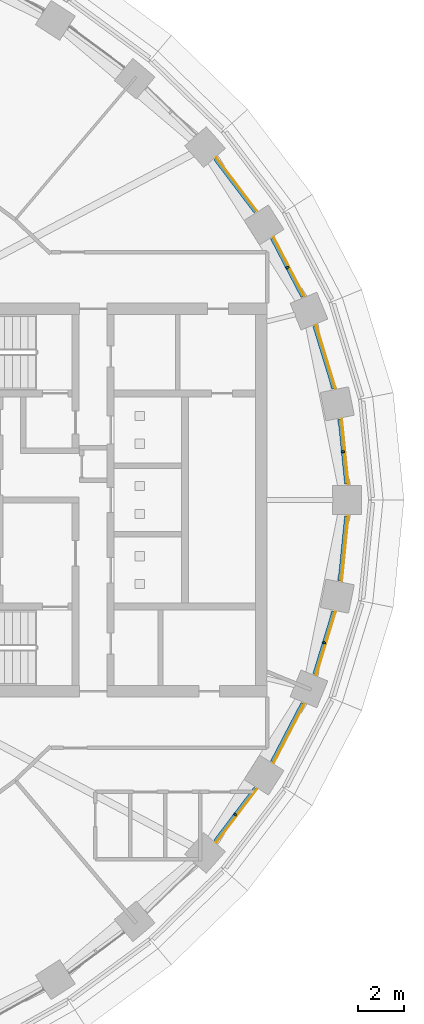
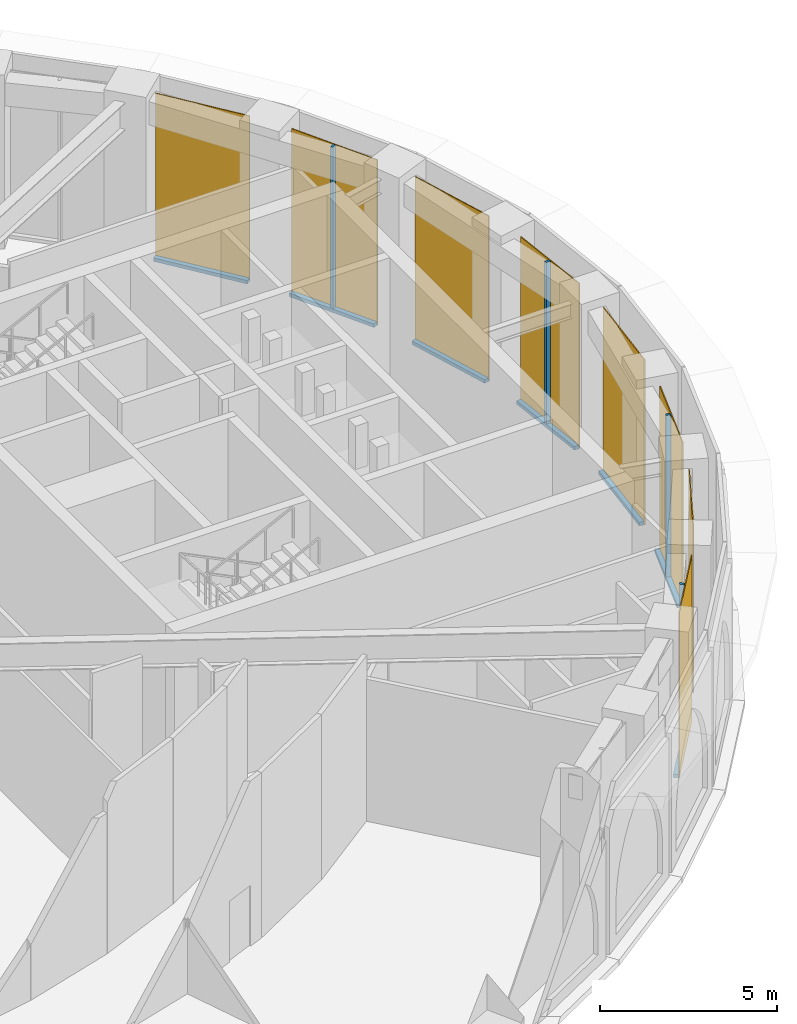
# One storey, part 16 of 23: 12 members, 8 curtain walls.
"""IFC4 building model written with IfcOpenShell, lengths in metres."""

from ifc_helpers import new_model, si_unit, direction, frame, origin, origin_2d, place, context, subcontext, project, spatial, polyline, rectangle, outline, extrude, material, layer, layer_set, material_profile, profile_set, type_object, element, aggregate, save


model = new_model("IFC4")

# Units and contexts
model_context = context("Model", 3, precision=1e-05, world=origin(), true_north=direction((0.0, 1.0)))
body_context = subcontext(model_context, "Body", "Model", "MODEL_VIEW")
ifc_project = project(units=[si_unit("LENGTHUNIT", "METRE"), si_unit("AREAUNIT", "SQUARE_METRE"), si_unit("VOLUMEUNIT", "CUBIC_METRE"), si_unit("PLANEANGLEUNIT", "RADIAN"), si_unit("MASSUNIT", "GRAM", prefix="KILO")], contexts=[model_context])

# Member
ifc_material_1 = material(Name="Aluminium 6063-T6 black anodised", Category="aluminium")
ifc_material_profile = material_profile(ifc_material_1, rectangle(XDim=0.14990234375, YDim=0.080078125, at=origin_2d()), Name="150x80")
ifc_profile_set = profile_set([ifc_material_profile], Name="Aluminium 6063-T6 black anodised")
member_type_1 = type_object("IfcMemberType", Name="ENV-MULLION-B-150", PredefinedType="MULLION", material=ifc_profile_set)
site_placement = place(None, origin())
building_placement = place(site_placement, origin())
storey_placement = place(building_placement, frame((0.0, 0.0, 140.0)))
member_1_placement = place(storey_placement, frame((32.37353515625, 10.029541015625, 0.1201171875), z_axis=(0.0, 0.0, 1.0), x_axis=(-0.88673501754, -0.462278064231, 0.0)))
member_1 = element("IfcMember", 1, at=member_1_placement, type_object=member_type_1, Name="Mullion B chord 03", PredefinedType="MULLION", context=body_context, shape_type="SweptSolid", body=[
    extrude(rectangle(XDim=0.14990234375, YDim=0.080078125, at=origin_2d()), origin(), (0.0, 0.0, 1.0), 5.579833984375),
])

member_2_placement = place(storey_placement, frame((30.12646484375, -13.576171875, 0.1201171875), z_axis=(0.0, 0.0, 1.0), x_axis=(-0.796969018776, 0.604020184358, 0.0)))
member_2 = element("IfcMember", 2, at=member_2_placement, type_object=member_type_1, Name="Mullion B chord 43", PredefinedType="MULLION", context=body_context, shape_type="SweptSolid", body=[
    extrude(rectangle(XDim=0.14990234375, YDim=0.080078125, at=origin_2d()), origin(), (0.0, 0.0, 1.0), 5.579833984375),
])

member_3_placement = place(storey_placement, frame((33.957275390625, -6.162109375, 0.1201171875), z_axis=(0.0, 0.0, 1.0), x_axis=(-0.95636637957, 0.292170066961, 0.0)))
member_3 = element("IfcMember", 3, at=member_3_placement, type_object=member_type_1, Name="Mullion B chord 45", PredefinedType="MULLION", context=body_context, shape_type="SweptSolid", body=[
    extrude(rectangle(XDim=0.14990234375, YDim=0.080078125, at=origin_2d()), origin(), (0.0, 0.0, 1.0), 5.579833984375),
])

member_4_placement = place(storey_placement, frame((34.778564453125, 2.07958984375, 0.1201171875), z_axis=(0.0, 0.0, 1.0), x_axis=(-0.994969504864, -0.100178263068, 0.0)))
member_4 = element("IfcMember", 4, at=member_4_placement, type_object=member_type_1, Name="Mullion B chord 01", PredefinedType="MULLION", context=body_context, shape_type="SweptSolid", body=[
    extrude(rectangle(XDim=0.14990234375, YDim=0.080078125, at=origin_2d()), origin(), (0.0, 0.0, 1.0), 5.579833984375),
])

ifc_material_2 = material(Name="Aluminium 6063-T6 black anodised", Category="aluminium")
member_type_2 = type_object("IfcMemberType", Name="ENV-TRANSOM-B", PredefinedType="USERDEFINED", material=ifc_material_2)
member_5_placement = place(storey_placement, origin())
member_5 = element("IfcMember", 5, at=member_5_placement, type_object=member_type_2, Name="Transom B radial 02-03", ObjectType="TRANSOM", PredefinedType="USERDEFINED", context=body_context, shape_type="SweptSolid", body=[
    extrude(outline(polyline([(34.443359375, 4.827392578125), (33.61328125, 7.544189453125), (33.47412109375, 7.487060546875), (34.295654296875, 4.797607421875), (34.443359375, 4.827392578125)])), origin(), (0.0, 0.0, 1.0), 0.1201171875),
])

member_6_placement = place(storey_placement, origin())
member_6 = element("IfcMember", 6, at=member_6_placement, type_object=member_type_2, Name="Transom B radial 03-04", ObjectType="TRANSOM", PredefinedType="USERDEFINED", context=body_context, shape_type="SweptSolid", body=[
    extrude(outline(polyline([(33.1005859375, 8.796875), (31.777099609375, 11.335693359375), (31.64990234375, 11.255126953125), (32.961181640625, 8.739990234375), (33.1005859375, 8.796875)])), origin(), (0.0, 0.0, 1.0), 0.1201171875),
])

member_7_placement = place(storey_placement, origin())
member_7 = element("IfcMember", 7, at=member_7_placement, type_object=member_type_2, Name="Transom B radial 04-05", ObjectType="TRANSOM", PredefinedType="USERDEFINED", context=body_context, shape_type="SweptSolid", body=[
    extrude(outline(polyline([(31.057373046875, 12.472412109375), (29.3125, 14.774658203125), (29.19970703125, 14.675048828125), (30.93017578125, 12.391845703125), (31.057373046875, 12.472412109375)])), origin(), (0.0, 0.0, 1.0), 0.1201171875),
])

member_8_placement = place(storey_placement, origin())
member_8 = element("IfcMember", 8, at=member_8_placement, type_object=member_type_2, Name="Transom B radial 43-44", ObjectType="TRANSOM", PredefinedType="USERDEFINED", context=body_context, shape_type="SweptSolid", body=[
    extrude(outline(polyline([(29.3125, -14.7744140625), (31.05712890625, -12.47265625), (30.929931640625, -12.39208984375), (29.19970703125, -14.6748046875), (29.3125, -14.7744140625)])), origin(), (0.0, 0.0, 1.0), 0.1201171875),
])

member_9_placement = place(storey_placement, origin())
member_9 = element("IfcMember", 9, at=member_9_placement, type_object=member_type_2, Name="Transom B radial 44-45", ObjectType="TRANSOM", PredefinedType="USERDEFINED", context=body_context, shape_type="SweptSolid", body=[
    extrude(outline(polyline([(31.777099609375, -11.33544921875), (33.1005859375, -8.797119140625), (32.961181640625, -8.739990234375), (31.650146484375, -11.2548828125), (31.777099609375, -11.33544921875)])), origin(), (0.0, 0.0, 1.0), 0.1201171875),
])

member_10_placement = place(storey_placement, origin())
member_10 = element("IfcMember", 10, at=member_10_placement, type_object=member_type_2, Name="Transom B radial 45-46", ObjectType="TRANSOM", PredefinedType="USERDEFINED", context=body_context, shape_type="SweptSolid", body=[
    extrude(outline(polyline([(33.613525390625, -7.5439453125), (34.443359375, -4.827392578125), (34.295654296875, -4.7978515625), (33.47412109375, -7.48681640625), (33.613525390625, -7.5439453125)])), origin(), (0.0, 0.0, 1.0), 0.1201171875),
])

member_11_placement = place(storey_placement, origin())
member_11 = element("IfcMember", 11, at=member_11_placement, type_object=member_type_2, Name="Transom B radial 46-01", ObjectType="TRANSOM", PredefinedType="USERDEFINED", context=body_context, shape_type="SweptSolid", body=[
    extrude(outline(polyline([(34.71142578125, -3.494140625), (34.99462890625, -0.680908203125), (34.843994140625, -0.680908203125), (34.563720703125, -3.464599609375), (34.71142578125, -3.494140625)])), origin(), (0.0, 0.0, 1.0), 0.1201171875),
])

member_12_placement = place(storey_placement, origin())
member_12 = element("IfcMember", 12, at=member_12_placement, type_object=member_type_2, Name="Transom B radial 01-02", ObjectType="TRANSOM", PredefinedType="USERDEFINED", context=body_context, shape_type="SweptSolid", body=[
    extrude(outline(polyline([(34.99462890625, 0.680908203125), (34.71142578125, 3.494384765625), (34.563720703125, 3.464599609375), (34.843994140625, 0.680908203125), (34.99462890625, 0.680908203125)])), origin(), (0.0, 0.0, 1.0), 0.1201171875),
])

# Site, building, storey
site = spatial("IfcSite", under=ifc_project, at=site_placement, CompositionType="ELEMENT")
building = spatial("IfcBuilding", under=site, at=building_placement, Name="Noorbagh Ring Tower", CompositionType="ELEMENT")
storey = spatial("IfcBuildingStorey", under=building, at=storey_placement, Name="L32", CompositionType="ELEMENT", Elevation=140.0)

# Curtain wall
ifc_material_3 = material(Name="Glass dark tinted laminated", Category="glass")
ifc_layer = layer(ifc_material_3, 0.031982421875)
ifc_layer_set = layer_set([ifc_layer], Name="Glass dark tinted laminated")
curtain_wall_type = type_object("IfcCurtainWallType", Name="ENV-CW-B", PredefinedType="NOTDEFINED", material=ifc_layer_set)
curtain_wall_1_placement = place(storey_placement, origin())
curtain_wall_1 = element("IfcCurtainWall", 13, at=curtain_wall_1_placement, inside=storey, type_object=curtain_wall_type, Name="Curtain wall B R02", PredefinedType="NOTDEFINED", context=body_context, shape_type="SweptSolid", body=[
    extrude(outline(polyline([(34.47509765625, 4.833740234375), (33.643310546875, 7.556396484375), (33.61328125, 7.544189453125), (34.443359375, 4.827392578125), (34.47509765625, 4.833740234375)])), origin(), (0.0, 0.0, 1.0), 5.699951171875),
])

aggregate(curtain_wall_1, [member_5])

curtain_wall_2_placement = place(storey_placement, origin())
curtain_wall_2 = element("IfcCurtainWall", 14, at=curtain_wall_2_placement, inside=storey, type_object=curtain_wall_type, Name="Curtain wall B R03", PredefinedType="NOTDEFINED", context=body_context, shape_type="SweptSolid", body=[
    extrude(outline(polyline([(33.13037109375, 8.80908203125), (31.80419921875, 11.352783203125), (31.777099609375, 11.335693359375), (33.1005859375, 8.796875), (33.13037109375, 8.80908203125)])), origin(), (0.0, 0.0, 1.0), 5.699951171875),
])

aggregate(curtain_wall_2, [member_1, member_6])

curtain_wall_3_placement = place(storey_placement, origin())
curtain_wall_3 = element("IfcCurtainWall", 15, at=curtain_wall_3_placement, inside=storey, type_object=curtain_wall_type, Name="Curtain wall B R04", PredefinedType="NOTDEFINED", context=body_context, shape_type="SweptSolid", body=[
    extrude(outline(polyline([(31.08447265625, 12.489501953125), (29.33642578125, 14.7958984375), (29.3125, 14.774658203125), (31.057373046875, 12.472412109375), (31.08447265625, 12.489501953125)])), origin(), (0.0, 0.0, 1.0), 5.699951171875),
])

aggregate(curtain_wall_3, [member_7])

curtain_wall_4_placement = place(storey_placement, origin())
curtain_wall_4 = element("IfcCurtainWall", 16, at=curtain_wall_4_placement, inside=storey, type_object=curtain_wall_type, Name="Curtain wall B R43", PredefinedType="NOTDEFINED", context=body_context, shape_type="SweptSolid", body=[
    extrude(outline(polyline([(29.33642578125, -14.7958984375), (31.084228515625, -12.48974609375), (31.05712890625, -12.47265625), (29.3125, -14.7744140625), (29.33642578125, -14.7958984375)])), origin(), (0.0, 0.0, 1.0), 5.699951171875),
])

aggregate(curtain_wall_4, [member_2, member_8])

curtain_wall_5_placement = place(storey_placement, origin())
curtain_wall_5 = element("IfcCurtainWall", 17, at=curtain_wall_5_placement, inside=storey, type_object=curtain_wall_type, Name="Curtain wall B R44", PredefinedType="NOTDEFINED", context=body_context, shape_type="SweptSolid", body=[
    extrude(outline(polyline([(31.804443359375, -11.352783203125), (33.13037109375, -8.809326171875), (33.1005859375, -8.797119140625), (31.777099609375, -11.33544921875), (31.804443359375, -11.352783203125)])), origin(), (0.0, 0.0, 1.0), 5.699951171875),
])

aggregate(curtain_wall_5, [member_9])

curtain_wall_6_placement = place(storey_placement, origin())
curtain_wall_6 = element("IfcCurtainWall", 18, at=curtain_wall_6_placement, inside=storey, type_object=curtain_wall_type, Name="Curtain wall B R45", PredefinedType="NOTDEFINED", context=body_context, shape_type="SweptSolid", body=[
    extrude(outline(polyline([(33.643310546875, -7.55615234375), (34.474853515625, -4.833740234375), (34.443359375, -4.827392578125), (33.613525390625, -7.5439453125), (33.643310546875, -7.55615234375)])), origin(), (0.0, 0.0, 1.0), 5.699951171875),
])

aggregate(curtain_wall_6, [member_3, member_10])

curtain_wall_7_placement = place(storey_placement, origin())
curtain_wall_7 = element("IfcCurtainWall", 19, at=curtain_wall_7_placement, inside=storey, type_object=curtain_wall_type, Name="Curtain wall B R46", PredefinedType="NOTDEFINED", context=body_context, shape_type="SweptSolid", body=[
    extrude(outline(polyline([(34.742919921875, -3.50048828125), (35.02685546875, -0.680908203125), (34.99462890625, -0.680908203125), (34.71142578125, -3.494140625), (34.742919921875, -3.50048828125)])), origin(), (0.0, 0.0, 1.0), 5.699951171875),
])

aggregate(curtain_wall_7, [member_11])

curtain_wall_8_placement = place(storey_placement, origin())
curtain_wall_8 = element("IfcCurtainWall", 20, at=curtain_wall_8_placement, inside=storey, type_object=curtain_wall_type, Name="Curtain wall B R01", PredefinedType="NOTDEFINED", context=body_context, shape_type="SweptSolid", body=[
    extrude(outline(polyline([(35.02685546875, 0.680908203125), (34.742919921875, 3.500732421875), (34.71142578125, 3.494384765625), (34.99462890625, 0.680908203125), (35.02685546875, 0.680908203125)])), origin(), (0.0, 0.0, 1.0), 5.699951171875),
])

aggregate(curtain_wall_8, [member_4, member_12])

save(model, "model.ifc")
